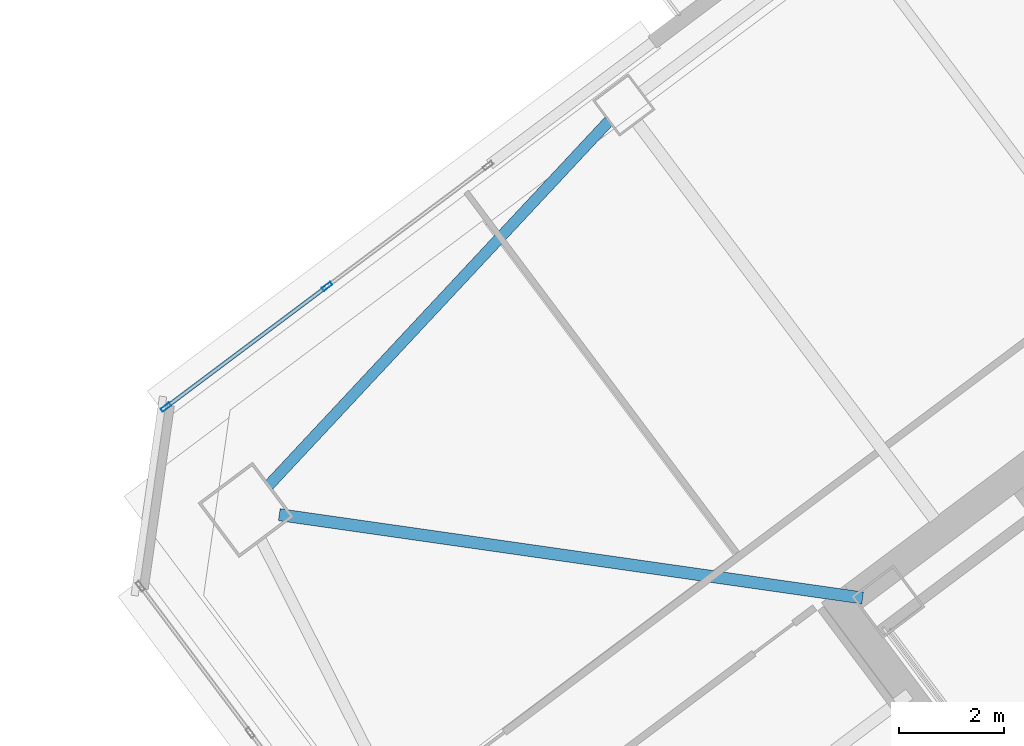
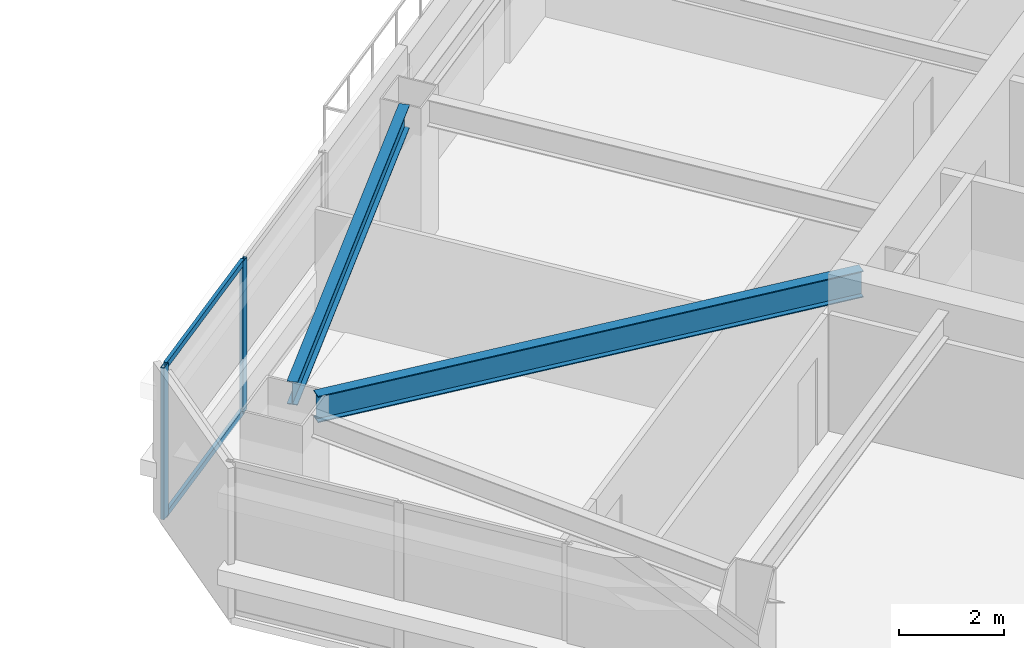
# One storey, part 24 of 48: 4 members, 2 beams, 1 element without a shape of its own.
"""IFC4 building model written with IfcOpenShell, lengths in metres."""

from ifc_helpers import new_model, si_unit, direction, frame, origin, origin_2d, place, context, subcontext, project, spatial, hollow_rectangle, i_section, extrude, material, material_profile, profile_set, type_object, element, aggregate, save


model = new_model("IFC4")

# Units and contexts
model_context = context("Model", 3, precision=1e-05, world=origin(), true_north=direction((0.0, 1.0)))
body_context = subcontext(model_context, "Body", "Model", "MODEL_VIEW")
ifc_project = project(units=[si_unit("LENGTHUNIT", "METRE"), si_unit("AREAUNIT", "SQUARE_METRE"), si_unit("VOLUMEUNIT", "CUBIC_METRE"), si_unit("PLANEANGLEUNIT", "RADIAN"), si_unit("MASSUNIT", "GRAM", prefix="KILO")], contexts=[model_context])

# Site, building, storey
site_placement = place(None, origin())
site = spatial("IfcSite", under=ifc_project, at=site_placement, CompositionType="ELEMENT")
building_placement = place(site_placement, origin())
building = spatial("IfcBuilding", under=site, at=building_placement, Name="Tashvorn Skyway Center", CompositionType="ELEMENT")
storey_placement = place(building_placement, frame((0.0, 0.0, 125.050048828125)))
storey = spatial("IfcBuildingStorey", under=building, at=storey_placement, Name="L33", CompositionType="ELEMENT", Elevation=125.050048828125)

# Beams
ifc_material_1 = material(Name="Steel ASTM A992 Grade 50", Category="steel")
ifc_material_profile_1 = material_profile(ifc_material_1, i_section(OverallWidth=0.22998046875, OverallDepth=0.616943359375, WebThickness=0.01318359375, FlangeThickness=0.022216796875, at=origin_2d()), Name="W24X94")
ifc_profile_set_1 = profile_set([ifc_material_profile_1], Name="Steel ASTM A992 Grade 50")
beam_type_1 = type_object("IfcBeamType", Name="BM-BEAM-W24X94", PredefinedType="BEAM", material=ifc_profile_set_1)
beam_1_placement = place(storey_placement, frame((92.5185546875, 35.06884765625, 3.0615234375), z_axis=(0.989948189712, -0.141430483583, 0.0), x_axis=(0.141430483583, 0.989948189712, 0.0)))
element("IfcBeam", 1, at=beam_1_placement, inside=storey, type_object=beam_type_1, Name="Tower 2 L33 Primary Floor Girder MC-NW", PredefinedType="BEAM", context=body_context, shape_type="SweptSolid", body=[
    extrude(i_section(OverallWidth=0.22998046875, OverallDepth=0.616943359375, WebThickness=0.01318359375, FlangeThickness=0.022216796875, at=origin_2d()), origin(), (0.0, 0.0, 1.0), 11.234375),
])
ifc_material_profile_2 = material_profile(ifc_material_1, i_section(OverallWidth=0.2109375, OverallDepth=0.5390625, WebThickness=0.01171875, FlangeThickness=0.018798828125, at=origin_2d()), Name="W21X73")
ifc_profile_set_2 = profile_set([ifc_material_profile_2], Name="Steel ASTM A992 Grade 50")
beam_type_2 = type_object("IfcBeamType", Name="BM-SPANDREL-W21X73", PredefinedType="SPANDREL", material=ifc_profile_set_2)
beam_2_placement = place(storey_placement, frame((98.80322265625, 42.572998046875, 3.100341796875), z_axis=(-0.682545341102, -0.730843250868, 0.0), x_axis=(0.730843250868, -0.682545341102, 0.0)))
element("IfcBeam", 2, at=beam_2_placement, inside=storey, type_object=beam_type_2, Name="Tower 2 L33 Spandrel Beam 09", PredefinedType="SPANDREL", context=body_context, shape_type="SweptSolid", body=[
    extrude(i_section(OverallWidth=0.2109375, OverallDepth=0.5390625, WebThickness=0.01171875, FlangeThickness=0.018798828125, at=origin_2d()), origin(), (0.0, 0.0, 1.0), 9.498046875),
])

# Curtain wall, members
ifc_material_2 = material(Name="Thermally broken bronze-anodized aluminium 6063-T6", Category="aluminium")
curtain_wall_type = type_object("IfcCurtainWallType", Name="CW-CW-Z3", PredefinedType="NOTDEFINED", material=ifc_material_2)
curtain_wall_placement = place(storey_placement, origin())
curtain_wall = element("IfcCurtainWall", 3, at=curtain_wall_placement, inside=storey, type_object=curtain_wall_type, Name="Tower 2 L33 North Curtain Wall L Glazing Group 1", PredefinedType="NOTDEFINED")
ifc_material_profile_3 = material_profile(ifc_material_2, hollow_rectangle(XDim=0.074951171875, YDim=0.199951171875, WallThickness=0.00439453125, at=origin_2d()), Name="ALU-MULL-75x200")
ifc_profile_set_3 = profile_set([ifc_material_profile_3], Name="Thermally broken bronze-anodized aluminium 6063-T6")
member_type_1 = type_object("IfcMemberType", Name="CWM-CW-Z3", PredefinedType="MULLION", material=ifc_profile_set_3)
member_1_placement = place(storey_placement, frame((90.35791015625, 37.118408203125, 0.0), z_axis=(0.0, 0.0, 1.0), x_axis=(-0.599997936379, 0.800001547712, 0.0)))
member_1 = element("IfcMember", 4, at=member_1_placement, type_object=member_type_1, Name="CW-Z3 mullion 1", PredefinedType="MULLION", context=body_context, shape_type="SweptSolid", body=[
    extrude(hollow_rectangle(XDim=0.074951171875, YDim=0.199951171875, WallThickness=0.00439453125, at=origin_2d()), origin(), (0.0, 0.0, 1.0), 3.550048828125),
])
member_2_placement = place(storey_placement, frame((93.429443359375, 39.422119140625, 0.0), z_axis=(0.0, 0.0, 1.0), x_axis=(-0.599997936379, 0.800001547712, 0.0)))
member_2 = element("IfcMember", 5, at=member_2_placement, type_object=member_type_1, Name="CW-Z3 mullion 2", PredefinedType="MULLION", context=body_context, shape_type="SweptSolid", body=[
    extrude(hollow_rectangle(XDim=0.074951171875, YDim=0.199951171875, WallThickness=0.00439453125, at=origin_2d()), origin(), (0.0, 0.0, 1.0), 3.550048828125),
])
ifc_material_profile_4 = material_profile(ifc_material_2, hollow_rectangle(XDim=0.074951171875, YDim=0.139892578125, WallThickness=0.004150390625, at=origin_2d()), Name="ALU-TRAN-75x140")
ifc_profile_set_4 = profile_set([ifc_material_profile_4], Name="Thermally broken bronze-anodized aluminium 6063-T6")
member_type_2 = type_object("IfcMemberType", Name="CWT-CW-Z3", PredefinedType="USERDEFINED", material=ifc_profile_set_4)
member_3_placement = place(storey_placement, frame((90.387939453125, 37.14111328125, 0.037353515625), z_axis=(0.80003891387, 0.599948111334, 0.0), x_axis=(-0.599948111334, 0.80003891387, 0.0)))
member_3 = element("IfcMember", 6, at=member_3_placement, type_object=member_type_2, Name="CW-Z3 transom 1.1", ObjectType="TRANSOM", PredefinedType="USERDEFINED", context=body_context, shape_type="SweptSolid", body=[
    extrude(hollow_rectangle(XDim=0.074951171875, YDim=0.139892578125, WallThickness=0.004150390625, at=origin_2d()), origin(), (0.0, 0.0, 1.0), 3.76416015625),
])
member_4_placement = place(storey_placement, frame((90.387939453125, 37.14111328125, 3.512451171875), z_axis=(0.80003891387, 0.599948111334, 0.0), x_axis=(-0.599948111334, 0.80003891387, 0.0)))
member_4 = element("IfcMember", 7, at=member_4_placement, type_object=member_type_2, Name="CW-Z3 transom 1.2", ObjectType="TRANSOM", PredefinedType="USERDEFINED", context=body_context, shape_type="SweptSolid", body=[
    extrude(hollow_rectangle(XDim=0.074951171875, YDim=0.139892578125, WallThickness=0.004150390625, at=origin_2d()), origin(), (0.0, 0.0, 1.0), 3.76416015625),
])
aggregate(curtain_wall, [member_1, member_2, member_3, member_4])

save(model, "model.ifc")
